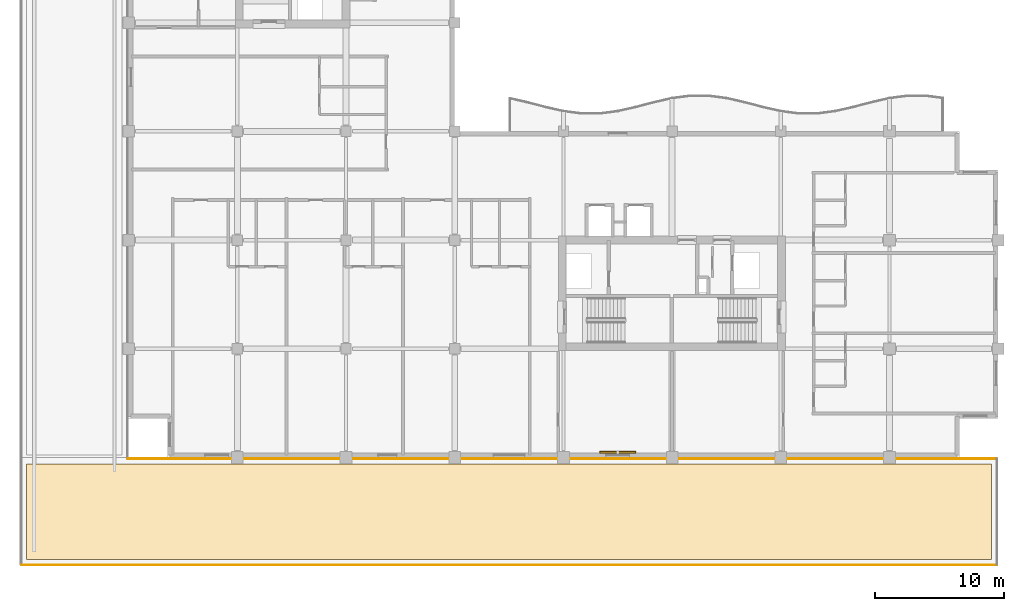
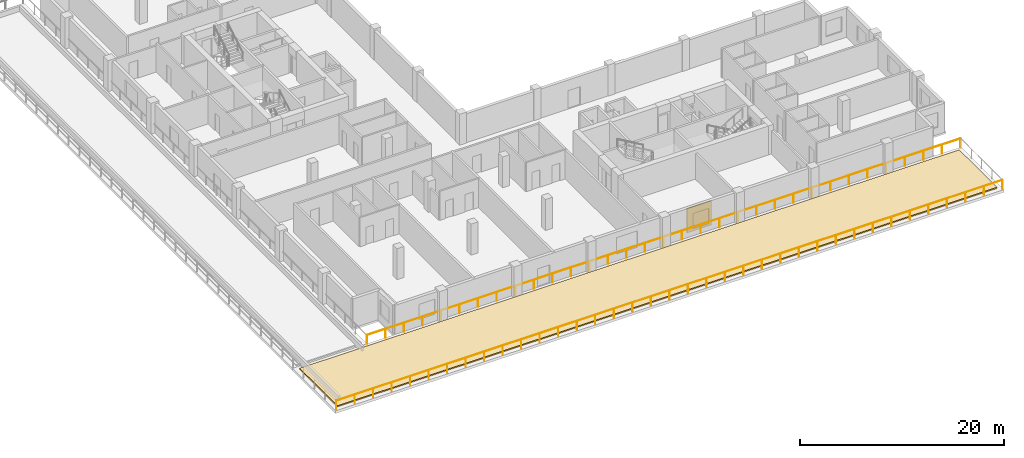
# One storey, part 9 of 13: 2 railings, 1 covering, 1 shading device.
"""IFC4 building model written with IfcOpenShell, lengths in metres."""

from ifc_helpers import new_model, si_unit, direction, frame, origin, origin_2d, place, context, subcontext, project, spatial, polyline, rectangle, circle, outline, extrude, material, layer, layer_set, type_object, element, save


model = new_model("IFC4")

# Units and contexts
model_context = context("Model", 3, precision=1e-05, world=origin(), true_north=direction((0.0, 1.0)))
body_context = subcontext(model_context, "Body", "Model", "MODEL_VIEW")
ifc_project = project(units=[si_unit("LENGTHUNIT", "METRE"), si_unit("AREAUNIT", "SQUARE_METRE"), si_unit("VOLUMEUNIT", "CUBIC_METRE"), si_unit("PLANEANGLEUNIT", "RADIAN"), si_unit("MASSUNIT", "GRAM", prefix="KILO")], contexts=[model_context])

# Site, building, storey
site_placement = place(None, origin())
site = spatial("IfcSite", under=ifc_project, at=site_placement, CompositionType="ELEMENT")
building_placement = place(site_placement, origin())
building = spatial("IfcBuilding", under=site, at=building_placement, Name="Koriwani Terraces Tower", CompositionType="ELEMENT")
storey_placement = place(building_placement, frame((0.0, 0.0, 234.199951171875)))
storey = spatial("IfcBuildingStorey", under=building, at=storey_placement, Name="L57", CompositionType="ELEMENT", Elevation=234.199951171875)

# Railings
ifc_material_1 = material(Name="Steel ASTM A572 Grade 50", Category="steel")
railing_type = type_object("IfcRailingType", Name="GUARD_BALUSTRADE_1150", PredefinedType="BALUSTRADE", material=ifc_material_1)
railing_1_placement = place(storey_placement, frame((8.3349609375, 8.300048828125, 0.0)))
element("IfcRailing", 1, at=railing_1_placement, inside=storey, type_object=railing_type, Name="L57 Setback Sky-Garden Terrace Balustrade Segment 4", PredefinedType="BALUSTRADE", context=body_context, shape_type="SweptSolid", body=[
    extrude(circle(Radius=0.02490234375, at=origin_2d()), frame((0.0, 0.0, 1.125), z_axis=(1.0, 0.0, 0.0), x_axis=(0.0, 1.0, 0.0)), (0.0, 0.0, 1.0), 67.130126953125),
    extrude(circle(Radius=0.0224609375, at=origin_2d()), origin(), (0.0, 0.0, 1.0), 1.099853515625),
    extrude(circle(Radius=0.0224609375, at=origin_2d()), frame((2.097900390625, 0.0, 0.0)), (0.0, 0.0, 1.0), 1.099853515625),
    extrude(circle(Radius=0.0224609375, at=origin_2d()), frame((4.195556640625, 0.0, 0.0)), (0.0, 0.0, 1.0), 1.099853515625),
    extrude(circle(Radius=0.0224609375, at=origin_2d()), frame((6.29345703125, 0.0, 0.0)), (0.0, 0.0, 1.0), 1.099853515625),
    extrude(circle(Radius=0.0224609375, at=origin_2d()), frame((8.391357421875, 0.0, 0.0)), (0.0, 0.0, 1.0), 1.099853515625),
    extrude(circle(Radius=0.0224609375, at=origin_2d()), frame((10.489013671875, 0.0, 0.0)), (0.0, 0.0, 1.0), 1.099853515625),
    extrude(circle(Radius=0.0224609375, at=origin_2d()), frame((12.5869140625, 0.0, 0.0)), (0.0, 0.0, 1.0), 1.099853515625),
    extrude(circle(Radius=0.0224609375, at=origin_2d()), frame((14.684814453125, 0.0, 0.0)), (0.0, 0.0, 1.0), 1.099853515625),
    extrude(circle(Radius=0.0224609375, at=origin_2d()), frame((16.782470703125, 0.0, 0.0)), (0.0, 0.0, 1.0), 1.099853515625),
    extrude(circle(Radius=0.0224609375, at=origin_2d()), frame((18.88037109375, 0.0, 0.0)), (0.0, 0.0, 1.0), 1.099853515625),
    extrude(circle(Radius=0.0224609375, at=origin_2d()), frame((20.978271484375, 0.0, 0.0)), (0.0, 0.0, 1.0), 1.099853515625),
    extrude(circle(Radius=0.0224609375, at=origin_2d()), frame((23.075927734375, 0.0, 0.0)), (0.0, 0.0, 1.0), 1.099853515625),
    extrude(circle(Radius=0.0224609375, at=origin_2d()), frame((25.173828125, 0.0, 0.0)), (0.0, 0.0, 1.0), 1.099853515625),
    extrude(circle(Radius=0.0224609375, at=origin_2d()), frame((27.271728515625, 0.0, 0.0)), (0.0, 0.0, 1.0), 1.099853515625),
    extrude(circle(Radius=0.0224609375, at=origin_2d()), frame((29.369384765625, 0.0, 0.0)), (0.0, 0.0, 1.0), 1.099853515625),
    extrude(circle(Radius=0.0224609375, at=origin_2d()), frame((31.46728515625, 0.0, 0.0)), (0.0, 0.0, 1.0), 1.099853515625),
    extrude(circle(Radius=0.0224609375, at=origin_2d()), frame((33.56494140625, 0.0, 0.0)), (0.0, 0.0, 1.0), 1.099853515625),
    extrude(circle(Radius=0.0224609375, at=origin_2d()), frame((35.662841796875, 0.0, 0.0)), (0.0, 0.0, 1.0), 1.099853515625),
    extrude(circle(Radius=0.0224609375, at=origin_2d()), frame((37.7607421875, 0.0, 0.0)), (0.0, 0.0, 1.0), 1.099853515625),
    extrude(circle(Radius=0.0224609375, at=origin_2d()), frame((39.8583984375, 0.0, 0.0)), (0.0, 0.0, 1.0), 1.099853515625),
    extrude(circle(Radius=0.0224609375, at=origin_2d()), frame((41.956298828125, 0.0, 0.0)), (0.0, 0.0, 1.0), 1.099853515625),
    extrude(circle(Radius=0.0224609375, at=origin_2d()), frame((44.05419921875, 0.0, 0.0)), (0.0, 0.0, 1.0), 1.099853515625),
    extrude(circle(Radius=0.0224609375, at=origin_2d()), frame((46.15185546875, 0.0, 0.0)), (0.0, 0.0, 1.0), 1.099853515625),
    extrude(circle(Radius=0.0224609375, at=origin_2d()), frame((48.249755859375, 0.0, 0.0)), (0.0, 0.0, 1.0), 1.099853515625),
    extrude(circle(Radius=0.0224609375, at=origin_2d()), frame((50.34765625, 0.0, 0.0)), (0.0, 0.0, 1.0), 1.099853515625),
    extrude(circle(Radius=0.0224609375, at=origin_2d()), frame((52.4453125, 0.0, 0.0)), (0.0, 0.0, 1.0), 1.099853515625),
    extrude(circle(Radius=0.0224609375, at=origin_2d()), frame((54.543212890625, 0.0, 0.0)), (0.0, 0.0, 1.0), 1.099853515625),
    extrude(circle(Radius=0.0224609375, at=origin_2d()), frame((56.64111328125, 0.0, 0.0)), (0.0, 0.0, 1.0), 1.099853515625),
    extrude(circle(Radius=0.0224609375, at=origin_2d()), frame((58.73876953125, 0.0, 0.0)), (0.0, 0.0, 1.0), 1.099853515625),
    extrude(circle(Radius=0.0224609375, at=origin_2d()), frame((60.836669921875, 0.0, 0.0)), (0.0, 0.0, 1.0), 1.099853515625),
    extrude(circle(Radius=0.0224609375, at=origin_2d()), frame((62.9345703125, 0.0, 0.0)), (0.0, 0.0, 1.0), 1.099853515625),
    extrude(circle(Radius=0.0224609375, at=origin_2d()), frame((65.0322265625, 0.0, 0.0)), (0.0, 0.0, 1.0), 1.099853515625),
    extrude(circle(Radius=0.0224609375, at=origin_2d()), frame((67.130126953125, 0.0, 0.0)), (0.0, 0.0, 1.0), 1.099853515625),
])
railing_2_placement = place(storey_placement, frame((75.465087890625, 0.10009765625, 0.0)))
element("IfcRailing", 2, at=railing_2_placement, inside=storey, type_object=railing_type, Name="L57 Setback Sky-Garden Terrace Balustrade Segment 6", PredefinedType="BALUSTRADE", context=body_context, shape_type="SweptSolid", body=[
    extrude(circle(Radius=0.02490234375, at=origin_2d()), frame((0.0, 0.0, 1.125), z_axis=(-1.0, 0.0, 0.0), x_axis=(0.0, -1.0, 0.0)), (0.0, 0.0, 1.0), 75.330078125),
    extrude(circle(Radius=0.0224609375, at=origin_2d()), origin(), (0.0, 0.0, 1.0), 1.099853515625),
    extrude(circle(Radius=0.0224609375, at=origin_2d()), frame((-2.092529296875, 0.0, 0.0)), (0.0, 0.0, 1.0), 1.099853515625),
    extrude(circle(Radius=0.0224609375, at=origin_2d()), frame((-4.18505859375, 0.0, 0.0)), (0.0, 0.0, 1.0), 1.099853515625),
    extrude(circle(Radius=0.0224609375, at=origin_2d()), frame((-6.277587890625, 0.0, 0.0)), (0.0, 0.0, 1.0), 1.099853515625),
    extrude(circle(Radius=0.0224609375, at=origin_2d()), frame((-8.3701171875, 0.0, 0.0)), (0.0, 0.0, 1.0), 1.099853515625),
    extrude(circle(Radius=0.0224609375, at=origin_2d()), frame((-10.46240234375, 0.0, 0.0)), (0.0, 0.0, 1.0), 1.099853515625),
    extrude(circle(Radius=0.0224609375, at=origin_2d()), frame((-12.554931640625, 0.0, 0.0)), (0.0, 0.0, 1.0), 1.099853515625),
    extrude(circle(Radius=0.0224609375, at=origin_2d()), frame((-14.6474609375, 0.0, 0.0)), (0.0, 0.0, 1.0), 1.099853515625),
    extrude(circle(Radius=0.0224609375, at=origin_2d()), frame((-16.739990234375, 0.0, 0.0)), (0.0, 0.0, 1.0), 1.099853515625),
    extrude(circle(Radius=0.0224609375, at=origin_2d()), frame((-18.83251953125, 0.0, 0.0)), (0.0, 0.0, 1.0), 1.099853515625),
    extrude(circle(Radius=0.0224609375, at=origin_2d()), frame((-20.925048828125, 0.0, 0.0)), (0.0, 0.0, 1.0), 1.099853515625),
    extrude(circle(Radius=0.0224609375, at=origin_2d()), frame((-23.017578125, 0.0, 0.0)), (0.0, 0.0, 1.0), 1.099853515625),
    extrude(circle(Radius=0.0224609375, at=origin_2d()), frame((-25.110107421875, 0.0, 0.0)), (0.0, 0.0, 1.0), 1.099853515625),
    extrude(circle(Radius=0.0224609375, at=origin_2d()), frame((-27.20263671875, 0.0, 0.0)), (0.0, 0.0, 1.0), 1.099853515625),
    extrude(circle(Radius=0.0224609375, at=origin_2d()), frame((-29.294921875, 0.0, 0.0)), (0.0, 0.0, 1.0), 1.099853515625),
    extrude(circle(Radius=0.0224609375, at=origin_2d()), frame((-31.387451171875, 0.0, 0.0)), (0.0, 0.0, 1.0), 1.099853515625),
    extrude(circle(Radius=0.0224609375, at=origin_2d()), frame((-33.47998046875, 0.0, 0.0)), (0.0, 0.0, 1.0), 1.099853515625),
    extrude(circle(Radius=0.0224609375, at=origin_2d()), frame((-35.572509765625, 0.0, 0.0)), (0.0, 0.0, 1.0), 1.099853515625),
    extrude(circle(Radius=0.0224609375, at=origin_2d()), frame((-37.6650390625, 0.0, 0.0)), (0.0, 0.0, 1.0), 1.099853515625),
    extrude(circle(Radius=0.0224609375, at=origin_2d()), frame((-39.757568359375, 0.0, 0.0)), (0.0, 0.0, 1.0), 1.099853515625),
    extrude(circle(Radius=0.0224609375, at=origin_2d()), frame((-41.85009765625, 0.0, 0.0)), (0.0, 0.0, 1.0), 1.099853515625),
    extrude(circle(Radius=0.0224609375, at=origin_2d()), frame((-43.942626953125, 0.0, 0.0)), (0.0, 0.0, 1.0), 1.099853515625),
    extrude(circle(Radius=0.0224609375, at=origin_2d()), frame((-46.03515625, 0.0, 0.0)), (0.0, 0.0, 1.0), 1.099853515625),
    extrude(circle(Radius=0.0224609375, at=origin_2d()), frame((-48.12744140625, 0.0, 0.0)), (0.0, 0.0, 1.0), 1.099853515625),
    extrude(circle(Radius=0.0224609375, at=origin_2d()), frame((-50.219970703125, 0.0, 0.0)), (0.0, 0.0, 1.0), 1.099853515625),
    extrude(circle(Radius=0.0224609375, at=origin_2d()), frame((-52.3125, 0.0, 0.0)), (0.0, 0.0, 1.0), 1.099853515625),
    extrude(circle(Radius=0.0224609375, at=origin_2d()), frame((-54.405029296875, 0.0, 0.0)), (0.0, 0.0, 1.0), 1.099853515625),
    extrude(circle(Radius=0.0224609375, at=origin_2d()), frame((-56.49755859375, 0.0, 0.0)), (0.0, 0.0, 1.0), 1.099853515625),
    extrude(circle(Radius=0.0224609375, at=origin_2d()), frame((-58.590087890625, 0.0, 0.0)), (0.0, 0.0, 1.0), 1.099853515625),
    extrude(circle(Radius=0.0224609375, at=origin_2d()), frame((-60.6826171875, 0.0, 0.0)), (0.0, 0.0, 1.0), 1.099853515625),
    extrude(circle(Radius=0.0224609375, at=origin_2d()), frame((-62.775146484375, 0.0, 0.0)), (0.0, 0.0, 1.0), 1.099853515625),
    extrude(circle(Radius=0.0224609375, at=origin_2d()), frame((-64.86767578125, 0.0, 0.0)), (0.0, 0.0, 1.0), 1.099853515625),
    extrude(circle(Radius=0.0224609375, at=origin_2d()), frame((-66.9599609375, 0.0, 0.0)), (0.0, 0.0, 1.0), 1.099853515625),
    extrude(circle(Radius=0.0224609375, at=origin_2d()), frame((-69.052490234375, 0.0, 0.0)), (0.0, 0.0, 1.0), 1.099853515625),
    extrude(circle(Radius=0.0224609375, at=origin_2d()), frame((-71.14501953125, 0.0, 0.0)), (0.0, 0.0, 1.0), 1.099853515625),
    extrude(circle(Radius=0.0224609375, at=origin_2d()), frame((-73.237548828125, 0.0, 0.0)), (0.0, 0.0, 1.0), 1.099853515625),
    extrude(circle(Radius=0.0224609375, at=origin_2d()), frame((-75.330078125, 0.0, 0.0)), (0.0, 0.0, 1.0), 1.099853515625),
])

# Covering
ifc_material_2 = material(Name="Insulated Modified Bitumen Roofing", Category="masonry")
ifc_layer_1 = layer(ifc_material_2, 0.139892578125, Name="Insulated Modified Bitumen Roofing")
ifc_layer_set_1 = layer_set([ifc_layer_1], Name="Insulated Modified Bitumen Roofing")
covering_type = type_object("IfcCoveringType", Name="ROOFING_MEMBRANE_INSUL", PredefinedType="ROOFING", material=ifc_layer_set_1)
covering_placement = place(storey_placement, origin())
element("IfcCovering", 3, at=covering_placement, inside=storey, type_object=covering_type, Name="L57 Sky-Garden Terrace Waterproofing & Planted Media-S", PredefinedType="ROOFING", context=body_context, shape_type="SweptSolid", body=[
    extrude(outline(polyline([(0.5, 0.5), (75.10009765625, 0.5), (75.10009765625, 7.89990234375), (0.5, 7.89990234375), (0.5, 0.5)])), origin(), (0.0, 0.0, 1.0), 0.14013671875),
])

# Shading device
ifc_material_3 = material(Name="Extruded Terracotta Clay", Category="masonry")
ifc_layer_2 = layer(ifc_material_3, 0.1201171875, Name="Extruded Terracotta Clay")
ifc_layer_set_2 = layer_set([ifc_layer_2], Name="Extruded Terracotta Clay")
shading_device_type = type_object("IfcShadingDeviceType", Name="TERRACOTTA_BAGUETTE_SCREEN_2800", PredefinedType="USERDEFINED", material=ifc_layer_set_2)
shading_device_placement = place(storey_placement, frame((46.199951171875, 8.804931640625, 0.28515625), z_axis=(0.0, 0.0, 1.0), x_axis=(-1.0, 0.0, 0.0)))
element("IfcShadingDevice", 4, at=shading_device_placement, inside=storey, type_object=shading_device_type, Name="L57 Extruded Terracotta Baguette Screen (S-12)", ObjectType="BAGUETTE", PredefinedType="USERDEFINED", context=body_context, shape_type="SweptSolid", body=[
    extrude(rectangle(XDim=2.760009765625, YDim=0.1201171875, at=origin_2d()), origin(), (0.0, 0.0, 1.0), 2.89990234375),
])

save(model, "model.ifc")
